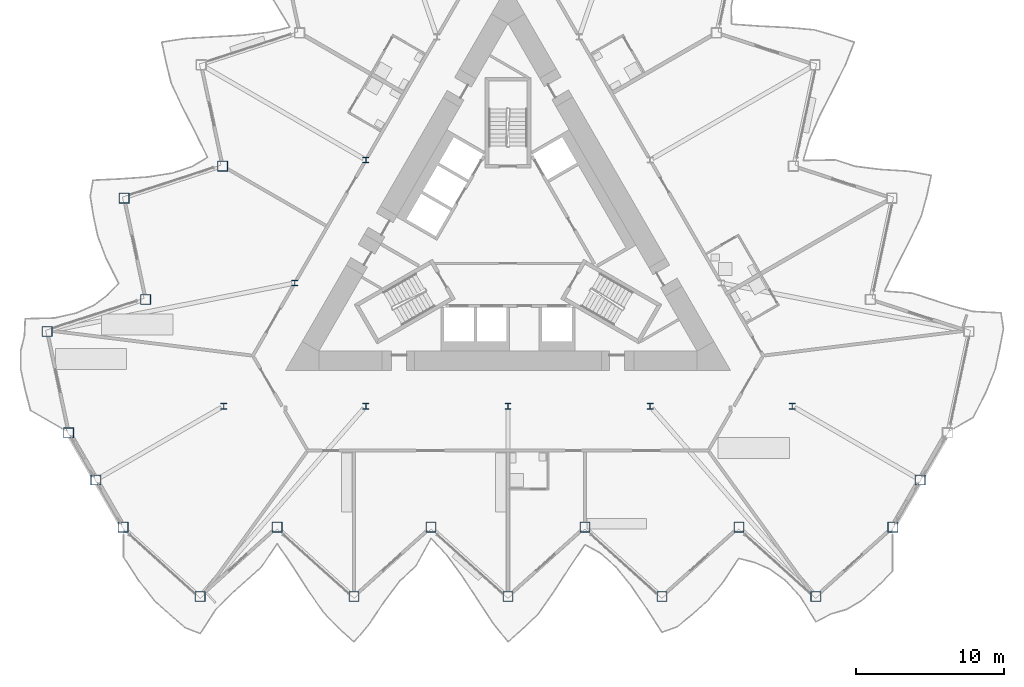
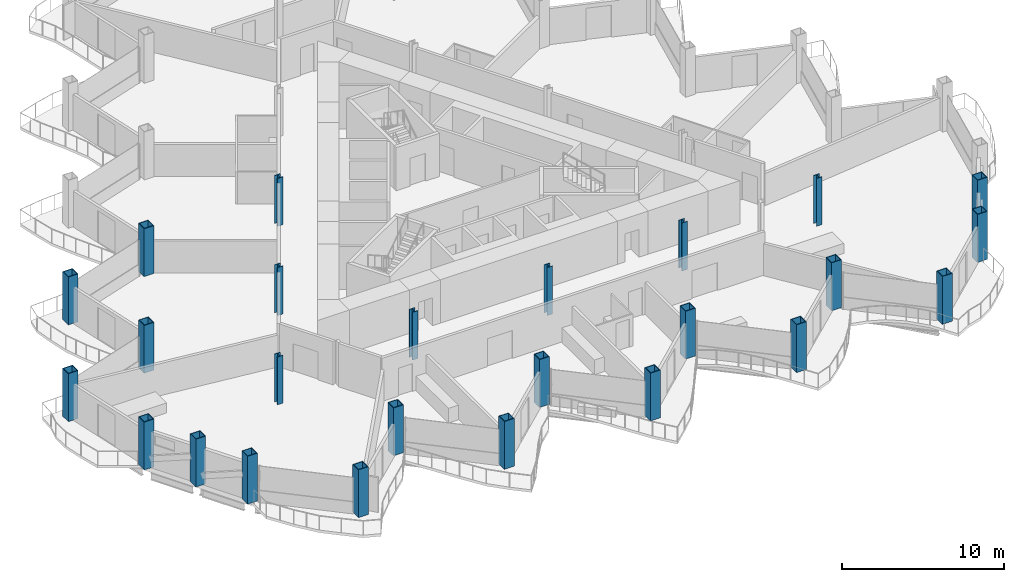
# One storey, part 1 of 24: 25 columns.
"""IFC4 building model written with IfcOpenShell, lengths in metres."""

from ifc_helpers import new_model, si_unit, direction, frame, origin, origin_2d, place, context, subcontext, project, spatial, hollow_rectangle, i_section, extrude, material, material_profile, profile_set, type_object, element, save


model = new_model("IFC4")

# Units and contexts
model_context = context("Model", 3, precision=1e-05, world=origin(), true_north=direction((0.0, 1.0)))
body_context = subcontext(model_context, "Body", "Model", "MODEL_VIEW")
ifc_project = project(units=[si_unit("LENGTHUNIT", "METRE"), si_unit("AREAUNIT", "SQUARE_METRE"), si_unit("VOLUMEUNIT", "CUBIC_METRE"), si_unit("PLANEANGLEUNIT", "RADIAN"), si_unit("MASSUNIT", "GRAM", prefix="KILO")], contexts=[model_context])

# Site, building, storey
site_placement = place(None, origin())
site = spatial("IfcSite", under=ifc_project, at=site_placement, CompositionType="ELEMENT")
building_placement = place(site_placement, origin())
building = spatial("IfcBuilding", under=site, at=building_placement, Name="Cormorant Prow Tower", CompositionType="ELEMENT")
storey_placement = place(building_placement, frame((0.0, 0.0, 274.199951171875)))
storey = spatial("IfcBuildingStorey", under=building, at=storey_placement, Name="L62", CompositionType="ELEMENT", Elevation=274.199951171875)

# Columns
ifc_material_1 = material(Name="Structural steel ASTM A572 Gr 50", Category="steel")
ifc_material_profile_1 = material_profile(ifc_material_1, hollow_rectangle(XDim=0.699951171875, YDim=0.699951171875, WallThickness=0.044921875, at=origin_2d()), Name="Box 700x700x45")
ifc_profile_set_1 = profile_set([ifc_material_profile_1], Name="Structural steel ASTM A572 Gr 50")
column_type_1 = type_object("IfcColumnType", Name="Perimeter box column 700x700x45", PredefinedType="COLUMN", material=ifc_profile_set_1)
for number, where, z_axis, x_axis, name in (
    (1, (-25.941162109375, -19.21533203125, 0.0), (0.0, 0.0, 1.0), (1.0, 0.0, 0.0), "Perimeter column C5 at S00 L62"),
    (2, (-20.7529296875, -23.886962890625, 0.0), (0.0, 0.0, 1.0), (1.0, 0.0, 0.0), "Perimeter column C5 at S01 L62"),
    (3, (-15.564697265625, -19.21533203125, 0.0), (0.0, 0.0, 1.0), (1.0, 0.0, 0.0), "Perimeter column C5 at S02 L62"),
    (4, (-10.37646484375, -23.886962890625, 0.0), (0.0, 0.0, 1.0), (1.0, 0.0, 0.0), "Perimeter column C5 at S03 L62"),
    (5, (-5.188232421875, -19.21533203125, 0.0), (0.0, 0.0, 1.0), (1.0, 0.0, 0.0), "Perimeter column C5 at S04 L62"),
    (6, (0.0, -23.886962890625, 0.0), (0.0, 0.0, 1.0), (1.0, 0.0, 0.0), "Perimeter column C5 at S05 L62"),
    (7, (5.188232421875, -19.21533203125, 0.0), (0.0, 0.0, 1.0), (1.0, 0.0, 0.0), "Perimeter column C5 at S06 L62"),
    (8, (10.37646484375, -23.886962890625, 0.0), (0.0, 0.0, 1.0), (1.0, 0.0, 0.0), "Perimeter column C5 at S07 L62"),
    (9, (15.564697265625, -19.21533203125, 0.0), (0.0, 0.0, 1.0), (1.0, 0.0, 0.0), "Perimeter column C5 at S08 L62"),
    (10, (20.7529296875, -23.886962890625, 0.0), (0.0, 0.0, 1.0), (1.0, 0.0, 0.0), "Perimeter column C5 at S09 L62"),
    (11, (25.941162109375, -19.21533203125, 0.0), (0.0, 0.0, 1.0), (1.0, 0.0, 0.0), "Perimeter column C5 at ESE00 L62"),
    (12, (27.7763671875, -16.03662109375, 0.0), (0.0, 0.0, 1.0), (1.0, 0.0, 0.0), "Perimeter column C5 at ESE01 L62"),
    (13, (-19.235107421875, 5.114501953125, 0.0), (0.0, 0.0, 1.0), (1.0, 0.0, 0.0), "Perimeter column C5 at WNW06 L62"),
    (14, (-25.875, 2.957275390625, 0.0), (0.0, 0.0, 1.0), (1.0, 0.0, 0.0), "Perimeter column C5 at WNW07 L62"),
    (15, (-24.42333984375, -3.871826171875, 0.0), (0.0, 0.0, 1.0), (1.0, 0.0, 0.0), "Perimeter column C5 at WNW08 L62"),
    (16, (-31.063232421875, -6.029052734375, 0.0), (0.0, 0.0, 1.0), (1.0, 0.0, 0.0), "Perimeter column C5 at WNW09 L62"),
    (17, (-29.611572265625, -12.858154296875, 0.0), (0.0, 0.0, 1.0), (1.0, 0.0, 0.0), "Perimeter column C5 at WSW00 L62"),
    (18, (-27.7763671875, -16.03662109375, 0.0), (0.0, 0.0, 1.0), (1.0, 0.0, 0.0), "Perimeter column C5 at WSW01 L62"),
):
    element("IfcColumn", number, at=place(storey_placement, frame(where, z_axis=z_axis, x_axis=x_axis)), inside=storey, type_object=column_type_1, Name=name, PredefinedType="COLUMN", context=body_context, shape_type="SweptSolid", body=[
        extrude(hollow_rectangle(XDim=0.699951171875, YDim=0.699951171875, WallThickness=0.044921875, at=origin_2d()), origin(), (0.0, 0.0, 1.0), 3.60009765625),
    ])
ifc_material_2 = material(Name="Structural steel ASTM A992 Gr 50", Category="steel")
ifc_material_profile_2 = material_profile(ifc_material_2, i_section(OverallWidth=0.39892578125, OverallDepth=0.393310546875, WebThickness=0.022705078125, FlangeThickness=0.03662109375, at=origin_2d()), Name="W14x193")
ifc_profile_set_2 = profile_set([ifc_material_profile_2], Name="Structural steel ASTM A992 Gr 50")
column_type_2 = type_object("IfcColumnType", Name="Ring column W14x193", PredefinedType="COLUMN", material=ifc_profile_set_2)
for number, where, z_axis, x_axis, name in (
    (19, (-9.578369140625, 5.530029296875, 0.0), (0.0, 0.0, 1.0), (1.0, 0.0, 0.0), "Ring column 3 L62"),
    (20, (-14.36767578125, -2.76513671875, 0.0), (0.0, 0.0, 1.0), (1.0, 0.0, 0.0), "Ring column 4 L62"),
    (21, (-19.156982421875, -11.060302734375, 0.0), (0.0, 0.0, 1.0), (1.0, 0.0, 0.0), "Ring column 5 L62"),
    (22, (-9.578369140625, -11.060302734375, 0.0), (0.0, 0.0, 1.0), (1.0, 0.0, 0.0), "Ring column 6 L62"),
    (23, (0.0, -11.060302734375, 0.0), (0.0, 0.0, 1.0), (1.0, 0.0, 0.0), "Ring column 7 L62"),
    (24, (9.578369140625, -11.060302734375, 0.0), (0.0, 0.0, 1.0), (1.0, 0.0, 0.0), "Ring column 8 L62"),
    (25, (19.156982421875, -11.060302734375, 0.0), (0.0, 0.0, 1.0), (1.0, 0.0, 0.0), "Ring column 9 L62"),
):
    element("IfcColumn", number, at=place(storey_placement, frame(where, z_axis=z_axis, x_axis=x_axis)), inside=storey, type_object=column_type_2, Name=name, PredefinedType="COLUMN", context=body_context, shape_type="SweptSolid", body=[
        extrude(i_section(OverallWidth=0.39892578125, OverallDepth=0.393310546875, WebThickness=0.022705078125, FlangeThickness=0.03662109375, at=origin_2d()), origin(), (0.0, 0.0, 1.0), 3.60009765625),
    ])

save(model, "model.ifc")
